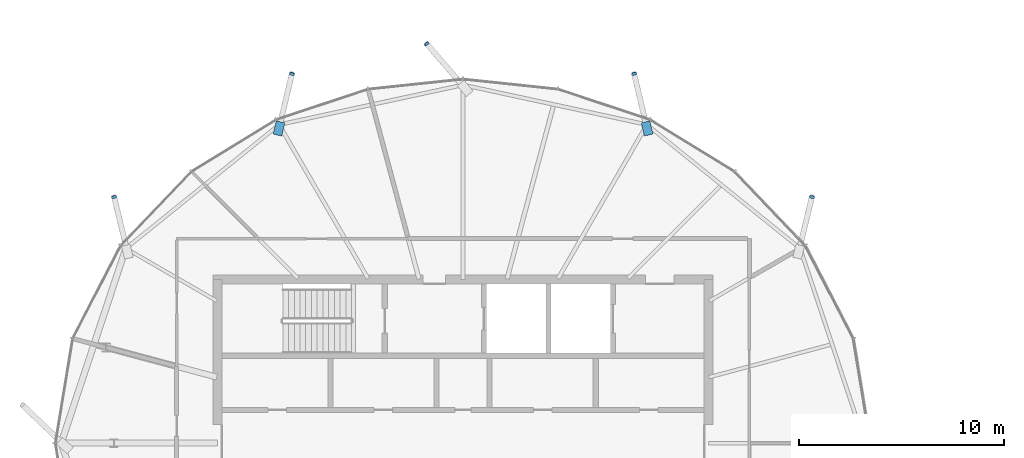
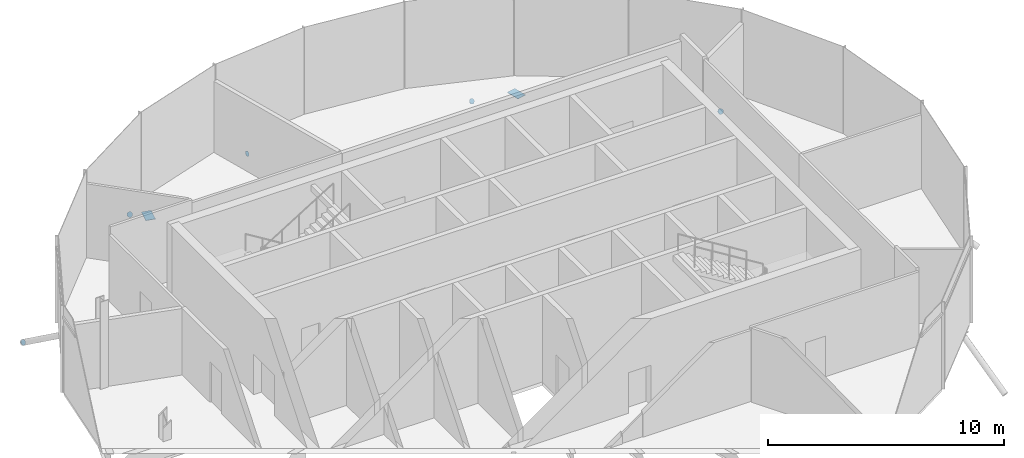
# One storey, part 25 of 31: 7 discrete accessories.
"""IFC4 building model written with IfcOpenShell, lengths in metres."""

import ifcopenshell
import ifcopenshell.guid

model = None  # the IFC model being written
_history = None  # IfcOwnerHistory: only IFC2X3 demands one
_inside = {}  # id of a spatial element -> (the spatial element, [elements in it])
_under = {}  # id of a project, library or spatial element -> (it, [spatial elements below it])
_declared = {}  # id of a project -> (the project, [libraries it declares])
_typed = {}  # id of a type object -> (the type object, [elements of that type])
_made_of = {}  # id of a material, layer set ... -> (it, [elements and type objects made of it])


def new_model(schema):
    """Start an empty IFC model of exactly this schema.

    Asked for "IFC4X3", IfcOpenShell would pick the latest addendum, in which some entities
    have other attributes; the version numbers below select the first issue.
    IFC2X3 requires an IfcOwnerHistory on every rooted entity: one is made here for all.
    """
    global model, _history
    if schema == "IFC4X3":
        model = ifcopenshell.file(schema_version=(4, 3, 0, 0))
    else:
        model = ifcopenshell.file(schema=schema)
    _inside.clear()
    _under.clear()
    _declared.clear()
    _typed.clear()
    _made_of.clear()
    _history = None
    if model.schema == "IFC2X3":
        org = make("IfcOrganization", Name="unknown")
        user = make(
            "IfcPersonAndOrganization",
            ThePerson=make("IfcPerson", FamilyName="unknown"),
            TheOrganization=org,
        )
        app = make(
            "IfcApplication",
            ApplicationDeveloper=org,
            Version="unknown",
            ApplicationFullName="unknown",
            ApplicationIdentifier="unknown",
        )
        _history = make(
            "IfcOwnerHistory",
            OwningUser=user,
            OwningApplication=app,
            ChangeAction="ADDED",
            CreationDate=0,
        )
    return model


def make(cls, **values):
    """One entity of the class cls with the attributes given. An attribute that is None is left unset."""
    return model.create_entity(
        cls, **{name: value for name, value in values.items() if value is not None}
    )


def rooted(cls, **values):
    """An entity with a GlobalId (a new one), such as an element, a storey or a relation."""
    return make(cls, GlobalId=ifcopenshell.guid.new(), OwnerHistory=_history, **values)


def si_unit(unit_type, name, prefix=None):
    """IfcSIUnit, for example si_unit("LENGTHUNIT", "METRE", prefix="MILLI")."""
    return make("IfcSIUnit", UnitType=unit_type, Prefix=prefix, Name=name)


def assignment(units):
    """IfcUnitAssignment: the units of a project."""
    return None if units is None else make("IfcUnitAssignment", Units=units)


def point(xyz):
    """IfcCartesianPoint."""
    return None if xyz is None else make("IfcCartesianPoint", Coordinates=xyz)


def direction(xyz):
    """IfcDirection."""
    return None if xyz is None else make("IfcDirection", DirectionRatios=xyz)


def frame(location, z_axis=None, x_axis=None):
    """IfcAxis2Placement3D, a coordinate frame: its origin and axes. An axis left out is left unset."""
    return make(
        "IfcAxis2Placement3D",
        Location=point(location),
        Axis=direction(z_axis),
        RefDirection=direction(x_axis),
    )


def frame_2d(location, x_axis=None):
    """IfcAxis2Placement2D, a coordinate frame in the plane: its origin and x axis."""
    return make(
        "IfcAxis2Placement2D", Location=point(location), RefDirection=direction(x_axis)
    )


def origin():
    """The frame at (0, 0, 0) with its axes left unset."""
    return frame((0.0, 0.0, 0.0))


def origin_2d():
    """The frame at (0, 0) in the plane with its x axis left unset."""
    return frame_2d((0.0, 0.0))


def place(relative_to, where):
    """IfcLocalPlacement: puts the frame where relative to a parent placement (None: the world)."""
    return make(
        "IfcLocalPlacement", PlacementRelTo=relative_to, RelativePlacement=where
    )


def context(
    kind, dimensions, precision=None, world=None, true_north=None, identifier=None
):
    """IfcGeometricRepresentationContext, for example the 3D "Model" context."""
    return make(
        "IfcGeometricRepresentationContext",
        ContextIdentifier=identifier,
        ContextType=kind,
        CoordinateSpaceDimension=dimensions,
        Precision=precision,
        WorldCoordinateSystem=world,
        TrueNorth=true_north,
    )


def subcontext(parent, identifier, kind, view, scale=None):
    """IfcGeometricRepresentationSubContext, for example "Body" below "Model"."""
    return make(
        "IfcGeometricRepresentationSubContext",
        ContextIdentifier=identifier,
        ContextType=kind,
        ParentContext=parent,
        TargetScale=scale,
        TargetView=view,
    )


def project(units=None, contexts=None):
    """IfcProject with its units and contexts."""
    return rooted(
        "IfcProject",
        Name="project",
        RepresentationContexts=contexts,
        UnitsInContext=assignment(units),
    )


def spatial(cls, under=None, at=None, **own):
    """A site, building, storey or space (cls), placed at a placement, below another one or the project."""
    s = rooted(cls, ObjectPlacement=at, **own)
    if under is not None:
        _under.setdefault(under.id(), (under, []))[1].append(s)
    return s


def polyline(points):
    """IfcPolyline through the points."""
    return make("IfcPolyline", Points=[point(p) for p in points])


def profile(cls, at=None, kind="AREA", **sizes):
    """A parametric profile (cls). Its sizes go by their IFC names, for example OverallWidth=200.0."""
    return make(cls, ProfileType=kind, Position=at, **sizes)


def rectangle(**sizes):
    """IfcRectangleProfileDef."""
    return profile("IfcRectangleProfileDef", **sizes)


def circle(**sizes):
    """IfcCircleProfileDef."""
    return profile("IfcCircleProfileDef", **sizes)


def outline(outer, holes=None, kind="AREA"):
    """IfcArbitraryClosedProfileDef: a profile drawn as a closed curve; with holes, ...WithVoids."""
    if holes is None:
        return make("IfcArbitraryClosedProfileDef", ProfileType=kind, OuterCurve=outer)
    return make(
        "IfcArbitraryProfileDefWithVoids",
        ProfileType=kind,
        OuterCurve=outer,
        InnerCurves=holes,
    )


def extrude(swept, where, along, depth):
    """IfcExtrudedAreaSolid: the profile swept, set in the frame where, extruded along a direction by depth."""
    return make(
        "IfcExtrudedAreaSolid",
        SweptArea=swept,
        Position=where,
        ExtrudedDirection=direction(along),
        Depth=depth,
    )


def shape(context_of_items, identifier, shape_type, items):
    """IfcShapeRepresentation: the items that make up one representation, for example the "Body"."""
    return make(
        "IfcShapeRepresentation",
        ContextOfItems=context_of_items,
        RepresentationIdentifier=identifier,
        RepresentationType=shape_type,
        Items=items,
    )


def material(Name=None, Category=None):
    """IfcMaterial."""
    return make("IfcMaterial", Name=Name, Category=Category)


def material_profile(
    of_material, cross_section, Name=None, Category=None, Priority=None
):
    """IfcMaterialProfile: a cross section and its material."""
    return make(
        "IfcMaterialProfile",
        Name=Name,
        Material=of_material,
        Profile=cross_section,
        Priority=Priority,
        Category=Category,
    )


def profile_set(profiles, Name=None, composite=None):
    """IfcMaterialProfileSet."""
    return make(
        "IfcMaterialProfileSet",
        Name=Name,
        MaterialProfiles=profiles,
        CompositeProfile=composite,
    )


def made_of(thing, what):
    """Note that an element or type object is made of a material, layer set ...; save() writes the relation."""
    if what is not None:
        _made_of.setdefault(what.id(), (what, []))[1].append(thing)
    return thing


def type_object(cls, material=None, **own):
    """A type object (cls), such as IfcWallType, which elements share."""
    return made_of(rooted(cls, **own), material)


def element(
    cls,
    number,
    at=None,
    inside=None,
    cuts=None,
    type_object=None,
    material=None,
    context=None,
    identifier="Body",
    shape_type=None,
    held_by="IfcProductDefinitionShape",
    body=None,
    shapes=None,
    **own,
):
    """One element of the class cls, such as IfcWall. Its Tag is "e" and its number.

    at: its placement. inside: the storey or other place that contains it. cuts: it is an
    opening in that element (IfcRelVoidsElement). A single representation is given by context,
    identifier, shape_type and body (its items); several are given by shapes. held_by: the class
    of the entity that holds the representations. save() writes the other relations.
    """
    e = rooted(cls, Tag="e%d" % number, ObjectPlacement=at, **own)
    if body is not None:
        shapes = [shape(context, identifier, shape_type, body)]
    if shapes is not None:
        e.Representation = make(held_by, Representations=shapes)
    if inside is not None:
        _inside.setdefault(inside.id(), (inside, []))[1].append(e)
    if cuts is not None:
        rooted(
            "IfcRelVoidsElement", RelatingBuildingElement=cuts, RelatedOpeningElement=e
        )
    if type_object is not None:
        _typed.setdefault(type_object.id(), (type_object, []))[1].append(e)
    return made_of(e, material)


def aggregate(whole, parts):
    """IfcRelAggregates: a whole, such as a stair, and the parts it consists of."""
    return rooted("IfcRelAggregates", RelatingObject=whole, RelatedObjects=parts)


def save(model, path):
    """Write the relations noted so far, then the file.

    IfcRelAggregates (storeys below a building ...), IfcRelContainedInSpatialStructure (elements
    in a storey), IfcRelDefinesByType, IfcRelAssociatesMaterial and IfcRelDeclares: one each for
    every whole, place, type object, material and project.
    """
    for whole, parts in _under.values():
        aggregate(whole, parts)
    for where, things in _inside.values():
        rooted(
            "IfcRelContainedInSpatialStructure",
            RelatedElements=things,
            RelatingStructure=where,
        )
    for kind, things in _typed.values():
        rooted("IfcRelDefinesByType", RelatedObjects=things, RelatingType=kind)
    for what, things in _made_of.values():
        rooted("IfcRelAssociatesMaterial", RelatedObjects=things, RelatingMaterial=what)
    for by, libraries in _declared.values():
        rooted("IfcRelDeclares", RelatingContext=by, RelatedDefinitions=libraries)
    model.write(path)


model = new_model("IFC4")

# Units and contexts
model_context = context("Model", 3, precision=1e-05, world=origin(), true_north=direction((0.0, 1.0)))
body_context = subcontext(model_context, "Body", "Model", "MODEL_VIEW")
ifc_project = project(units=[si_unit("LENGTHUNIT", "METRE"), si_unit("AREAUNIT", "SQUARE_METRE"), si_unit("VOLUMEUNIT", "CUBIC_METRE"), si_unit("PLANEANGLEUNIT", "RADIAN"), si_unit("MASSUNIT", "GRAM", prefix="KILO")], contexts=[model_context])

# Site, building, storey
site_placement = place(None, origin())
site = spatial("IfcSite", under=ifc_project, at=site_placement, CompositionType="ELEMENT")
building_placement = place(site_placement, origin())
building = spatial("IfcBuilding", under=site, at=building_placement, Name="Rimbun Link Towers", CompositionType="ELEMENT")
storey_placement = place(building_placement, frame((0.0, 0.0, 263.10009765625)))
storey = spatial("IfcBuildingStorey", under=building, at=storey_placement, Name="L64", CompositionType="ELEMENT", Elevation=263.10009765625)

# Discrete accessories
ifc_material_1 = material(Name="Steel S355J2H", Category="steel")
ifc_material_profile_1 = material_profile(ifc_material_1, circle(Radius=0.1240234375, at=origin_2d()), Name="PL D248")
ifc_profile_set_1 = profile_set([ifc_material_profile_1], Name="Steel S355J2H")
discrete_accessory_type_1 = type_object("IfcDiscreteAccessoryType", Name="Link foot sealing plate D248X20", PredefinedType="BRACKET", material=ifc_profile_set_1)
for number, where, z_axis, x_axis, name in (
    (1, (-14.696044921875, 12.027587890625, -2.34521484375), (0.195063939638, 0.804638751005, -0.560808826458), (-0.971850105689, 0.235600025622, 0.0), "Link foot sealing plate T1 L64 02"),
    (2, (-23.384033203125, 18.04833984375, -2.4248046875), (-0.19445792549, 0.814292562989, -0.54691291544), (-0.972650231109, -0.232274682056, 0.0), "Link foot sealing plate T1 L64 04"),
    (3, (-33.52001953125, 19.517333984375, -2.4755859375), (-0.557996078219, 0.655038874431, -0.509474680113), (-0.761243230487, -0.6484664556, 0.0), "Link foot sealing plate T1 L64 06"),
    (4, (-40.115966796875, 18.04833984375, -2.4248046875), (0.19445792549, 0.814292562989, -0.54691291544), (-0.972650231109, 0.232274682056, 0.0), "Link foot sealing plate T1 L64 08"),
    (5, (-48.803955078125, 12.027587890625, -2.34521484375), (-0.195063939638, 0.804638751005, -0.560808826458), (-0.971850105689, -0.235600025622, 0.0), "Link foot sealing plate T1 L64 10"),
):
    element("IfcDiscreteAccessory", number, at=place(storey_placement, frame(where, z_axis=z_axis, x_axis=x_axis)), inside=storey, type_object=discrete_accessory_type_1, Name=name, PredefinedType="BRACKET", context=body_context, shape_type="SweptSolid", body=[
        extrude(circle(Radius=0.1240234375, at=origin_2d()), origin(), (0.0, 0.0, 1.0), 0.02001953125),
    ])
ifc_material_2 = material(Name="Steel S355J2H", Category="steel")
ifc_material_profile_2 = material_profile(ifc_material_2, rectangle(XDim=0.43310546875, YDim=0.43310546875, at=origin_2d()), Name="PL 433x433")
ifc_profile_set_2 = profile_set([ifc_material_profile_2], Name="Steel S355J2H")
discrete_accessory_type_2 = type_object("IfcDiscreteAccessoryType", Name="Link head end plate 433X20", PredefinedType="BRACKET", material=ifc_profile_set_2)
discrete_accessory_1_placement = place(storey_placement, frame((0.0, 0.0, -0.653564453125)))
element("IfcDiscreteAccessory", 6, at=discrete_accessory_1_placement, inside=storey, type_object=discrete_accessory_type_2, Name="Link head end plate T1 L64 04", PredefinedType="BRACKET", context=body_context, shape_type="SweptSolid", body=[
    extrude(outline(polyline([(-22.465576171875, 15.11083984375), (-22.618408203125, 15.755615234375), (-23.039794921875, 15.65576171875), (-22.886962890625, 15.010986328125), (-22.465576171875, 15.11083984375)])), origin(), (0.0, 0.0, 1.0), 0.02001953125),
])
discrete_accessory_2_placement = place(storey_placement, frame((0.0, 0.0, -0.653564453125)))
element("IfcDiscreteAccessory", 7, at=discrete_accessory_2_placement, inside=storey, type_object=discrete_accessory_type_2, Name="Link head end plate T1 L64 08", PredefinedType="BRACKET", context=body_context, shape_type="SweptSolid", body=[
    extrude(outline(polyline([(-40.613037109375, 15.010986328125), (-40.460205078125, 15.65576171875), (-40.881591796875, 15.755615234375), (-41.034423828125, 15.11083984375), (-40.613037109375, 15.010986328125)])), origin(), (0.0, 0.0, 1.0), 0.02001953125),
])

save(model, "model.ifc")
